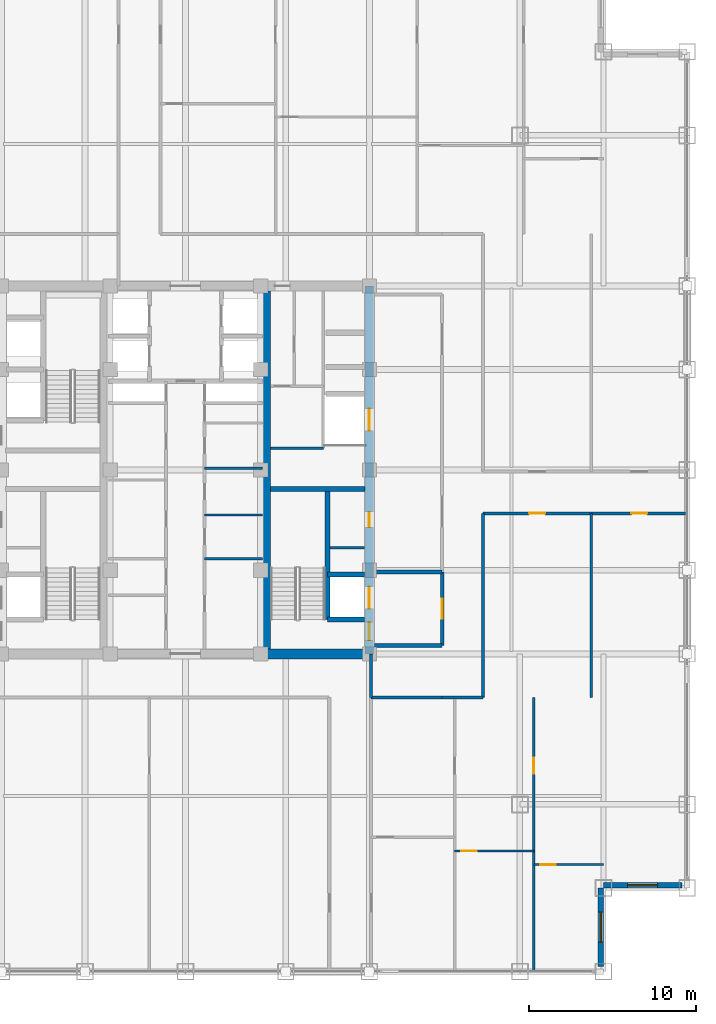
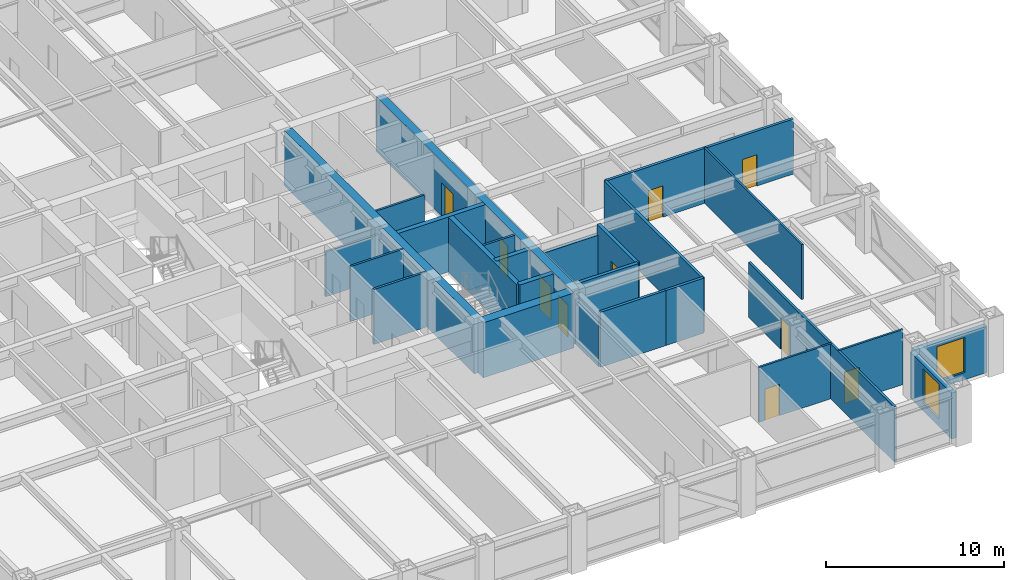
# One storey, part 21 of 25: 26 walls, 10 doors, 2 windows, 12 openings.
"""IFC4 building model written with IfcOpenShell, lengths in metres."""

from ifc_helpers import new_model, si_unit, direction, frame, frame_2d, origin, place, context, subcontext, project, spatial, rectangle, extrude, source, transform, mapped, material, layer, layer_set, type_object, element, fill, save


model = new_model("IFC4")

# Units and contexts
model_context = context("Model", 3, precision=1e-05, world=origin(), true_north=direction((0.0, 1.0)))
body_context = subcontext(model_context, "Body", "Model", "MODEL_VIEW")
ifc_project = project(units=[si_unit("LENGTHUNIT", "METRE"), si_unit("AREAUNIT", "SQUARE_METRE"), si_unit("VOLUMEUNIT", "CUBIC_METRE"), si_unit("PLANEANGLEUNIT", "RADIAN"), si_unit("MASSUNIT", "GRAM", prefix="KILO")], contexts=[model_context])

# Site, building, storey
site_placement = place(None, origin())
site = spatial("IfcSite", under=ifc_project, at=site_placement, CompositionType="ELEMENT")
building_placement = place(site_placement, origin())
building = spatial("IfcBuilding", under=site, at=building_placement, Name="Khorayat Bourse Tower", CompositionType="ELEMENT")
storey_placement = place(building_placement, frame((0.0, 0.0, 251.10009765625)))
storey = spatial("IfcBuildingStorey", under=building, at=storey_placement, Name="L59", CompositionType="ELEMENT", Elevation=251.10009765625)

# Wall
ifc_material_1 = material(Name="Concrete C52/65", Category="concrete")
ifc_layer_1 = layer(ifc_material_1, 0.5)
ifc_layer_set_1 = layer_set([ifc_layer_1], Name="Concrete C52/65")
wall_type_1 = type_object("IfcWallType", Name="WAL-CORE-500", PredefinedType="SHEAR", material=ifc_layer_set_1)
shared_shape_1 = source(origin(), body_context, "Body", "SweptSolid", [
    extrude(rectangle(XDim=21.39990234375, YDim=0.5, at=frame_2d((10.699951171875, 0.0))), origin(), (0.0, 0.0, 1.0), 3.77978515625),
])
wall_1_placement = place(storey_placement, frame((4.85009765625, -10.699951171875, 0.0), z_axis=(0.0, 0.0, 1.0), x_axis=(0.0, 1.0, 0.0)))
element("IfcWall", 1, at=wall_1_placement, inside=storey, type_object=wall_type_1, Name="L59 Core Shear Wall PIER-E", PredefinedType="SHEAR", context=body_context, shape_type="MappedRepresentation", body=[
    mapped(shared_shape_1, transform((0.0, 0.0, 0.0), scale=1.0)),
])

# Wall, openings, doors
shared_shape_2 = source(origin(), body_context, "Body", "SweptSolid", [
    extrude(rectangle(XDim=22.0, YDim=0.5, at=frame_2d((11.0, 0.0))), origin(), (0.0, 0.0, 1.0), 3.77978515625),
])
wall_2_placement = place(storey_placement, frame((11.0, -11.0, 0.0), z_axis=(0.0, 0.0, 1.0), x_axis=(0.0, 1.0, 0.0)))
wall_2 = element("IfcWall", 2, at=wall_2_placement, inside=storey, type_object=wall_type_1, Name="L59 Core Shear Wall CORE-E", PredefinedType="SHEAR", context=body_context, shape_type="MappedRepresentation", body=[
    mapped(shared_shape_2, transform((0.0, 0.0, 0.0), scale=1.0)),
])
shared_shape_3 = source(origin(), body_context, "Body", "SweptSolid", [
    extrude(rectangle(XDim=1.10009765625, YDim=2.199951171875, at=frame_2d((0.550048828125, 1.10009765625))), frame((0.0, 0.260009765625, 0.0), z_axis=(0.0, -1.0, 0.0), x_axis=(1.0, 0.0, 0.0)), (0.0, 0.0, 1.0), 0.52001953125),
])
opening_1_placement = place(wall_2_placement, frame((0.800048828125, 0.0, 0.0)))
opening_1 = element("IfcOpeningElement", 3, at=opening_1_placement, cuts=wall_2, Name="Opening DI-01", PredefinedType="OPENING", context=body_context, shape_type="MappedRepresentation", body=[
    mapped(shared_shape_3, transform((0.0, 0.0, 0.0), scale=1.0)),
])
shared_shape_4 = source(origin(), body_context, "Body", "SweptSolid", [
    extrude(rectangle(XDim=0.89990234375, YDim=2.14990234375, at=frame_2d((0.449951171875, 1.074951171875))), frame((0.0, 0.260009765625, 0.0), z_axis=(0.0, -1.0, 0.0), x_axis=(1.0, 0.0, 0.0)), (0.0, 0.0, 1.0), 0.52001953125),
])
opening_2_placement = place(wall_2_placement, frame((7.574951171875, 0.0, 0.0)))
opening_2 = element("IfcOpeningElement", 4, at=opening_2_placement, cuts=wall_2, Name="Opening DI-06", PredefinedType="OPENING", context=body_context, shape_type="MappedRepresentation", body=[
    mapped(shared_shape_4, transform((0.0, 0.0, 0.0), scale=1.0)),
])
shared_shape_5 = source(origin(), body_context, "Body", "SweptSolid", [
    extrude(rectangle(XDim=1.300048828125, YDim=2.300048828125, at=frame_2d((0.64990234375, 1.14990234375))), frame((0.0, 0.260009765625, 0.0), z_axis=(0.0, -1.0, 0.0), x_axis=(1.0, 0.0, 0.0)), (0.0, 0.0, 1.0), 0.52001953125),
])
opening_3_placement = place(wall_2_placement, frame((2.699951171875, 0.0, 0.0)))
opening_3 = element("IfcOpeningElement", 5, at=opening_3_placement, cuts=wall_2, Name="Opening LD-02", PredefinedType="OPENING", context=body_context, shape_type="MappedRepresentation", body=[
    mapped(shared_shape_5, transform((0.0, 0.0, 0.0), scale=1.0)),
])
opening_4_placement = place(wall_2_placement, frame((13.35009765625, 0.0, 0.0)))
opening_4 = element("IfcOpeningElement", 6, at=opening_4_placement, cuts=wall_2, Name="Opening LD-02", PredefinedType="OPENING", context=body_context, shape_type="MappedRepresentation", body=[
    mapped(shared_shape_5, transform((0.0, 0.0, 0.0), scale=1.0)),
])
ifc_material_2 = material(Name="Fire-rated steel acoustic leaf", Category="steel")
door_type_1 = type_object("IfcDoorType", Name="DR-INT-STAIR-1100", OperationType="NOTDEFINED", PredefinedType="DOOR", material=ifc_material_2)
shared_shape_6 = source(origin(), body_context, "Body", "SweptSolid", [
    extrude(rectangle(XDim=1.10009765625, YDim=2.199951171875, at=frame_2d((0.550048828125, 1.10009765625))), frame((0.0, 0.02490234375, 0.0), z_axis=(0.0, -1.0, 0.0), x_axis=(1.0, 0.0, 0.0)), (0.0, 0.0, 1.0), 0.050048828125),
])
door_1_placement = place(opening_1_placement, origin())
door_1 = element("IfcDoor", 7, at=door_1_placement, inside=storey, type_object=door_type_1, Name="L59 Exit Stair 3 Door", OperationType="SINGLE_SWING_LEFT", OverallHeight=2.199951171875, OverallWidth=1.10009765625, PredefinedType="DOOR", context=body_context, shape_type="MappedRepresentation", body=[
    mapped(shared_shape_6, transform((0.0, 0.0, 0.0), scale=1.0)),
])
fill(opening_1, door_1)
ifc_material_3 = material(Name="Moisture-resistant laminate washroom door")
door_type_2 = type_object("IfcDoorType", Name="DR-INT-WC-900", OperationType="NOTDEFINED", PredefinedType="DOOR", material=ifc_material_3)
shared_shape_7 = source(origin(), body_context, "Body", "SweptSolid", [
    extrude(rectangle(XDim=0.89990234375, YDim=2.14990234375, at=frame_2d((0.449951171875, 1.074951171875))), frame((0.0, 0.02490234375, 0.0), z_axis=(0.0, -1.0, 0.0), x_axis=(1.0, 0.0, 0.0)), (0.0, 0.0, 1.0), 0.050048828125),
])
door_2_placement = place(opening_2_placement, origin())
door_2 = element("IfcDoor", 8, at=door_2_placement, inside=storey, type_object=door_type_2, Name="L59 Fiber Server Plant Room Door", OperationType="SINGLE_SWING_LEFT", OverallHeight=2.14990234375, OverallWidth=0.89990234375, PredefinedType="DOOR", context=body_context, shape_type="MappedRepresentation", body=[
    mapped(shared_shape_7, transform((0.0, 0.0, 0.0), scale=1.0)),
])
fill(opening_2, door_2)
ifc_material_4 = material(Name="Fire-rated stainless-steel sliding landing door", Category="steel")
door_type_3 = type_object("IfcDoorType", Name="DR-LIFT-FF-1300", OperationType="NOTDEFINED", PredefinedType="DOOR", material=ifc_material_4)
shared_shape_8 = source(origin(), body_context, "Body", "SweptSolid", [
    extrude(rectangle(XDim=1.300048828125, YDim=2.300048828125, at=frame_2d((0.64990234375, 1.14990234375))), frame((0.0, 0.02490234375, 0.0), z_axis=(0.0, -1.0, 0.0), x_axis=(1.0, 0.0, 0.0)), (0.0, 0.0, 1.0), 0.050048828125),
])
door_3_placement = place(opening_3_placement, origin())
door_3 = element("IfcDoor", 9, at=door_3_placement, inside=storey, type_object=door_type_3, Name="L59 Lift FFL-02 Sliding Landing Door", OperationType="SLIDING_TO_LEFT", OverallHeight=2.300048828125, OverallWidth=1.300048828125, PredefinedType="DOOR", context=body_context, shape_type="MappedRepresentation", body=[
    mapped(shared_shape_8, transform((0.0, 0.0, 0.0), scale=1.0)),
])
fill(opening_3, door_3)
door_4_placement = place(opening_4_placement, origin())
door_4 = element("IfcDoor", 10, at=door_4_placement, inside=storey, type_object=door_type_3, Name="L59 Lift SVL-01 Sliding Landing Door", OperationType="SLIDING_TO_LEFT", OverallHeight=2.300048828125, OverallWidth=1.300048828125, PredefinedType="DOOR", context=body_context, shape_type="MappedRepresentation", body=[
    mapped(shared_shape_8, transform((0.0, 0.0, 0.0), scale=1.0)),
])
fill(opening_4, door_4)

# Walls
ifc_material_5 = material(Name="Concrete C60/75", Category="concrete")
ifc_layer_2 = layer(ifc_material_5, 0.60009765625)
ifc_layer_set_2 = layer_set([ifc_layer_2], Name="Concrete C60/75")
wall_type_2 = type_object("IfcWallType", Name="WAL-CORE-600", PredefinedType="SHEAR", material=ifc_layer_set_2)
shared_shape_9 = source(origin(), body_context, "Body", "SweptSolid", [
    extrude(rectangle(XDim=5.89990234375, YDim=0.60009765625, at=frame_2d((2.949951171875, 0.0))), origin(), (0.0, 0.0, 1.0), 3.77978515625),
])
wall_3_placement = place(storey_placement, frame((4.85009765625, -11.0, 0.0), z_axis=(0.0, 0.0, 1.0), x_axis=(1.0, 0.0, 0.0)))
element("IfcWall", 11, at=wall_3_placement, inside=storey, type_object=wall_type_2, Name="L59 Core Shear Wall PIER-ES", PredefinedType="SHEAR", context=body_context, shape_type="MappedRepresentation", body=[
    mapped(shared_shape_9, transform((0.0, 0.0, 0.0), scale=1.0)),
])
ifc_material_6 = material(Name="Concrete C50/60", Category="concrete")
ifc_layer_3 = layer(ifc_material_6, 0.300048828125)
ifc_layer_set_3 = layer_set([ifc_layer_3], Name="Concrete C50/60")
wall_type_3 = type_object("IfcWallType", Name="WAL-SHAFT-300", PredefinedType="SHEAR", material=ifc_layer_set_3)
shared_shape_10 = source(origin(), body_context, "Body", "SweptSolid", [
    extrude(rectangle(XDim=5.64990234375, YDim=0.300048828125, at=frame_2d((2.824951171875, 0.0))), origin(), (0.0, 0.0, 1.0), 3.77978515625),
])
wall_4_placement = place(storey_placement, frame((5.10009765625, -1.14990234375, 0.0), z_axis=(0.0, 0.0, 1.0), x_axis=(1.0, 0.0, 0.0)))
element("IfcWall", 12, at=wall_4_placement, inside=storey, type_object=wall_type_3, Name="L59 Core Shear Wall ST3-DIV", PredefinedType="SHEAR", context=body_context, shape_type="MappedRepresentation", body=[
    mapped(shared_shape_10, transform((0.0, 0.0, 0.0), scale=1.0)),
])

# Wall, opening, window
ifc_material_7 = material(Name="Precast concrete C45/55", Category="concrete")
ifc_layer_4 = layer(ifc_material_7, 0.320068359375)
ifc_layer_set_4 = layer_set([ifc_layer_4], Name="Precast concrete C45/55")
wall_type_4 = type_object("IfcWallType", Name="WAL-EXT-STONE-320", PredefinedType="STANDARD", material=ifc_layer_set_4)
shared_shape_11 = source(origin(), body_context, "Body", "SweptSolid", [
    extrude(rectangle(XDim=4.679931640625, YDim=0.320068359375, at=frame_2d((2.33984375, 0.0))), origin(), (0.0, 0.0, 1.0), 3.163818359375),
])
wall_5_placement = place(storey_placement, frame((24.840087890625, -29.679931640625, 0.0), z_axis=(0.0, 0.0, 1.0), x_axis=(0.0, 1.0, 0.0)))
wall_5 = element("IfcWall", 13, at=wall_5_placement, inside=storey, type_object=wall_type_4, Name="L59 Re-Entrant Notch Limestone Wall SE-V", PredefinedType="STANDARD", context=body_context, shape_type="MappedRepresentation", body=[
    mapped(shared_shape_11, transform((0.0, 0.0, 0.0), scale=1.0)),
])
shared_shape_12 = source(origin(), body_context, "Body", "SweptSolid", [
    extrude(rectangle(XDim=1.800048828125, YDim=2.39990234375, at=frame_2d((0.89990234375, 1.199951171875))), frame((0.0, 0.169921875, 0.0), z_axis=(0.0, -1.0, 0.0), x_axis=(1.0, 0.0, 0.0)), (0.0, 0.0, 1.0), 0.340087890625),
])
opening_5_placement = place(wall_5_placement, frame((1.43994140625, 0.0, 0.5)))
opening_5 = element("IfcOpeningElement", 14, at=opening_5_placement, cuts=wall_5, Name="Opening WN-04", PredefinedType="OPENING", context=body_context, shape_type="MappedRepresentation", body=[
    mapped(shared_shape_12, transform((0.0, 0.0, 0.0), scale=1.0)),
])
ifc_material_8 = material(Name="Low-E acoustic laminated double glazing", Category="glass")
window_type = type_object("IfcWindowType", Name="WIN-NOTCH-1800x2400", PartitioningType="SINGLE_PANEL", PredefinedType="WINDOW", material=ifc_material_8)
shared_shape_13 = source(origin(), body_context, "Body", "SweptSolid", [
    extrude(rectangle(XDim=1.800048828125, YDim=2.39990234375, at=frame_2d((0.89990234375, 1.199951171875))), frame((0.0, 0.030029296875, 0.0), z_axis=(0.0, -1.0, 0.0), x_axis=(1.0, 0.0, 0.0)), (0.0, 0.0, 1.0), 0.06005859375),
])
window_1_placement = place(opening_5_placement, origin())
window_1 = element("IfcWindow", 15, at=window_1_placement, inside=storey, type_object=window_type, Name="L59 Facade Window 1", OverallHeight=2.39990234375, OverallWidth=1.800048828125, PartitioningType="SINGLE_PANEL", PredefinedType="WINDOW", context=body_context, shape_type="MappedRepresentation", body=[
    mapped(shared_shape_13, transform((0.0, 0.0, 0.0), scale=1.0)),
])
fill(opening_5, window_1)

wall_6_placement = place(storey_placement, frame((25.0, -24.840087890625, 0.0), z_axis=(0.0, 0.0, 1.0), x_axis=(1.0, 0.0, 0.0)))
wall_6 = element("IfcWall", 16, at=wall_6_placement, inside=storey, type_object=wall_type_4, Name="L59 Re-Entrant Notch Limestone Wall SE-H", PredefinedType="STANDARD", context=body_context, shape_type="MappedRepresentation", body=[
    mapped(shared_shape_11, transform((0.0, 0.0, 0.0), scale=1.0)),
])
opening_6_placement = place(wall_6_placement, frame((1.43994140625, 0.0, 0.5)))
opening_6 = element("IfcOpeningElement", 17, at=opening_6_placement, cuts=wall_6, Name="Opening WN-04", PredefinedType="OPENING", context=body_context, shape_type="MappedRepresentation", body=[
    mapped(shared_shape_12, transform((0.0, 0.0, 0.0), scale=1.0)),
])
window_2_placement = place(opening_6_placement, origin())
window_2 = element("IfcWindow", 18, at=window_2_placement, inside=storey, type_object=window_type, Name="L59 Facade Window 1", OverallHeight=2.39990234375, OverallWidth=1.800048828125, PartitioningType="SINGLE_PANEL", PredefinedType="WINDOW", context=body_context, shape_type="MappedRepresentation", body=[
    mapped(shared_shape_13, transform((0.0, 0.0, 0.0), scale=1.0)),
])
fill(opening_6, window_2)

# Walls
ifc_material_9 = material(Name="Aerated concrete blockwork", Category="masonry")
ifc_layer_5 = layer(ifc_material_9, 0.219970703125)
ifc_layer_set_5 = layer_set([ifc_layer_5], Name="Aerated concrete blockwork")
wall_type_5 = type_object("IfcWallType", Name="WAL-PART-FF-220", PredefinedType="PARTITIONING", material=ifc_layer_set_5)
shared_shape_14 = source(origin(), body_context, "Body", "SweptSolid", [
    extrude(rectangle(XDim=4.050048828125, YDim=0.219970703125, at=frame_2d((2.02490234375, 0.0))), origin(), (0.0, 0.0, 1.0), 3.0849609375),
])
wall_7_placement = place(storey_placement, frame((11.300048828125, -6.10009765625, 0.0), z_axis=(0.0, 0.0, 1.0), x_axis=(1.0, 0.0, 0.0)))
element("IfcWall", 19, at=wall_7_placement, inside=storey, type_object=wall_type_5, Name="L59 Partition WAL-L59-FFLE-N", PredefinedType="PARTITIONING", context=body_context, shape_type="MappedRepresentation", body=[
    mapped(shared_shape_14, transform((0.0, 0.0, 0.0), scale=1.0)),
])
shared_shape_15 = source(origin(), body_context, "Body", "SweptSolid", [
    extrude(rectangle(XDim=7.800048828125, YDim=0.300048828125, at=frame_2d((3.89990234375, 0.0))), origin(), (0.0, 0.0, 1.0), 3.77978515625),
])
wall_8_placement = place(storey_placement, frame((8.5, -8.949951171875, 0.0), z_axis=(0.0, 0.0, 1.0), x_axis=(0.0, 1.0, 0.0)))
element("IfcWall", 20, at=wall_8_placement, inside=storey, type_object=wall_type_3, Name="L59 Partition WAL-L59-EPIER-SP", PredefinedType="SHEAR", context=body_context, shape_type="MappedRepresentation", body=[
    mapped(shared_shape_15, transform((0.0, 0.0, 0.0), scale=1.0)),
])
shared_shape_16 = source(origin(), body_context, "Body", "SweptSolid", [
    extrude(rectangle(XDim=2.199951171875, YDim=0.300048828125, at=frame_2d((1.10009765625, 0.0))), origin(), (0.0, 0.0, 1.0), 3.77978515625),
])
for number, where, z_axis, x_axis, name in (
    (21, (8.5, -8.949951171875, 0.0), (0.0, 0.0, 1.0), (1.0, 0.0, 0.0), "L59 Partition WAL-L59-EPIER-FF2S"),
    (22, (8.5, -6.25, 0.0), (0.0, 0.0, 1.0), (1.0, 0.0, 0.0), "L59 Partition WAL-L59-EPIER-FF2N"),
):
    element("IfcWall", number, at=place(storey_placement, frame(where, z_axis=z_axis, x_axis=x_axis)), inside=storey, type_object=wall_type_3, Name=name, PredefinedType="SHEAR", context=body_context, shape_type="MappedRepresentation", body=[
        mapped(shared_shape_16, transform((0.0, 0.0, 0.0), scale=1.0)),
    ])
ifc_material_10 = material(Name="Gypsum plasterboard twin-frame partition")
ifc_layer_6 = layer(ifc_material_10, 0.14990234375)
ifc_layer_set_6 = layer_set([ifc_layer_6], Name="Gypsum plasterboard twin-frame partition")
wall_type_6 = type_object("IfcWallType", Name="WAL-PART-SUITE-150", PredefinedType="PARTITIONING", material=ifc_layer_set_6)
shared_shape_17 = source(origin(), body_context, "Body", "SweptSolid", [
    extrude(rectangle(XDim=2.050048828125, YDim=0.14990234375, at=frame_2d((1.02490234375, 0.0))), origin(), (0.0, 0.0, 1.0), 3.77978515625),
])
wall_9_placement = place(storey_placement, frame((8.64990234375, -4.64990234375, 0.0), z_axis=(0.0, 0.0, 1.0), x_axis=(1.0, 0.0, 0.0)))
element("IfcWall", 23, at=wall_9_placement, inside=storey, type_object=wall_type_6, Name="L59 Partition WAL-L59-ESRV-S0", PredefinedType="PARTITIONING", context=body_context, shape_type="MappedRepresentation", body=[
    mapped(shared_shape_17, transform((0.0, 0.0, 0.0), scale=1.0)),
])
ifc_material_11 = material(Name="Moisture-resistant masonry partition", Category="masonry")
ifc_layer_7 = layer(ifc_material_11, 0.139892578125)
ifc_layer_set_7 = layer_set([ifc_layer_7], Name="Moisture-resistant masonry partition")
wall_type_7 = type_object("IfcWallType", Name="WAL-PART-WET-140", PredefinedType="PARTITIONING", material=ifc_layer_set_7)
shared_shape_18 = source(origin(), body_context, "Body", "SweptSolid", [
    extrude(rectangle(XDim=3.14990234375, YDim=0.139892578125, at=frame_2d((1.574951171875, 0.0))), origin(), (0.0, 0.0, 1.0), 3.77978515625),
])
wall_10_placement = place(storey_placement, frame((5.10009765625, 1.300048828125, 0.0), z_axis=(0.0, 0.0, 1.0), x_axis=(1.0, 0.0, 0.0)))
element("IfcWall", 24, at=wall_10_placement, inside=storey, type_object=wall_type_7, Name="L59 Partition WAL-L59-ECORE-S", PredefinedType="PARTITIONING", context=body_context, shape_type="MappedRepresentation", body=[
    mapped(shared_shape_18, transform((0.0, 0.0, 0.0), scale=1.0)),
])
shared_shape_19 = source(origin(), body_context, "Body", "SweptSolid", [
    extrude(rectangle(XDim=4.050048828125, YDim=0.219970703125, at=frame_2d((2.02490234375, 0.0))), origin(), (0.0, 0.0, 1.0), 3.77978515625),
])
wall_11_placement = place(storey_placement, frame((11.300048828125, -10.5, 0.0), z_axis=(0.0, 0.0, 1.0), x_axis=(1.0, 0.0, 0.0)))
element("IfcWall", 25, at=wall_11_placement, inside=storey, type_object=wall_type_5, Name="L59 Partition WAL-L59-FFLE-S", PredefinedType="PARTITIONING", context=body_context, shape_type="MappedRepresentation", body=[
    mapped(shared_shape_19, transform((0.0, 0.0, 0.0), scale=1.0)),
])

# Wall, opening, door
shared_shape_20 = source(origin(), body_context, "Body", "SweptSolid", [
    extrude(rectangle(XDim=4.39990234375, YDim=0.219970703125, at=frame_2d((2.199951171875, 0.0))), origin(), (0.0, 0.0, 1.0), 3.77978515625),
])
wall_12_placement = place(storey_placement, frame((15.35009765625, -10.5, 0.0), z_axis=(0.0, 0.0, 1.0), x_axis=(0.0, 1.0, 0.0)))
wall_12 = element("IfcWall", 26, at=wall_12_placement, inside=storey, type_object=wall_type_5, Name="L59 Partition WAL-L59-FFLE-E", PredefinedType="PARTITIONING", context=body_context, shape_type="MappedRepresentation", body=[
    mapped(shared_shape_20, transform((0.0, 0.0, 0.0), scale=1.0)),
])
shared_shape_21 = source(origin(), body_context, "Body", "SweptSolid", [
    extrude(rectangle(XDim=1.199951171875, YDim=2.199951171875, at=frame_2d((0.60009765625, 1.10009765625))), frame((0.0, 0.119873046875, 0.0), z_axis=(0.0, -1.0, 0.0), x_axis=(1.0, 0.0, 0.0)), (0.0, 0.0, 1.0), 0.239990234375),
])
opening_7_placement = place(wall_12_placement, frame((1.60009765625, 0.0, 0.0)))
opening_7 = element("IfcOpeningElement", 27, at=opening_7_placement, cuts=wall_12, Name="Opening DI-02", PredefinedType="OPENING", context=body_context, shape_type="MappedRepresentation", body=[
    mapped(shared_shape_21, transform((0.0, 0.0, 0.0), scale=1.0)),
])
ifc_material_12 = material(Name="Fire-rated steel double-seal leaf", Category="steel")
door_type_4 = type_object("IfcDoorType", Name="DR-INT-FFLOBBY-1200", OperationType="NOTDEFINED", PredefinedType="DOOR", material=ifc_material_12)
shared_shape_22 = source(origin(), body_context, "Body", "SweptSolid", [
    extrude(rectangle(XDim=1.199951171875, YDim=2.199951171875, at=frame_2d((0.60009765625, 1.10009765625))), frame((0.0, 0.02490234375, 0.0), z_axis=(0.0, -1.0, 0.0), x_axis=(1.0, 0.0, 0.0)), (0.0, 0.0, 1.0), 0.050048828125),
])
door_5_placement = place(opening_7_placement, origin())
door_5 = element("IfcDoor", 28, at=door_5_placement, inside=storey, type_object=door_type_4, Name="L59 East Firefighting Lobby Door", OperationType="SINGLE_SWING_RIGHT", OverallHeight=2.199951171875, OverallWidth=1.199951171875, PredefinedType="DOOR", context=body_context, shape_type="MappedRepresentation", body=[
    mapped(shared_shape_22, transform((0.0, 0.0, 0.0), scale=1.0)),
])
fill(opening_7, door_5)

# Walls
shared_shape_23 = source(origin(), body_context, "Body", "SweptSolid", [
    extrude(rectangle(XDim=3.4501953125, YDim=0.14990234375, at=frame_2d((1.72509765625, 0.0))), origin(), (0.0, 0.0, 1.0), 3.77978515625),
])
wall_13_placement = place(storey_placement, frame((1.14990234375, -5.300048828125, 0.0), z_axis=(0.0, 0.0, 1.0), x_axis=(1.0, 0.0, 0.0)))
element("IfcWall", 29, at=wall_13_placement, inside=storey, type_object=wall_type_6, Name="L59 Partition WAL-L59-FB1-NE", PredefinedType="PARTITIONING", context=body_context, shape_type="MappedRepresentation", body=[
    mapped(shared_shape_23, transform((0.0, 0.0, 0.0), scale=1.0)),
])
shared_shape_24 = source(origin(), body_context, "Body", "SweptSolid", [
    extrude(rectangle(XDim=3.4501953125, YDim=0.139892578125, at=frame_2d((1.72509765625, 0.0))), origin(), (0.0, 0.0, 1.0), 3.77978515625),
])
wall_14_placement = place(storey_placement, frame((1.14990234375, -2.699951171875, 0.0), z_axis=(0.0, 0.0, 1.0), x_axis=(1.0, 0.0, 0.0)))
element("IfcWall", 30, at=wall_14_placement, inside=storey, type_object=wall_type_7, Name="L59 Partition WAL-L59-CME-D1", PredefinedType="PARTITIONING", context=body_context, shape_type="MappedRepresentation", body=[
    mapped(shared_shape_24, transform((0.0, 0.0, 0.0), scale=1.0)),
])
shared_shape_25 = source(origin(), body_context, "Body", "SweptSolid", [
    extrude(rectangle(XDim=3.4501953125, YDim=0.139892578125, at=frame_2d((1.72509765625, 0.0))), origin(), (0.0, 0.0, 1.0), 3.0849609375),
])
wall_15_placement = place(storey_placement, frame((1.14990234375, 0.10009765625, 0.0), z_axis=(0.0, 0.0, 1.0), x_axis=(1.0, 0.0, 0.0)))
element("IfcWall", 31, at=wall_15_placement, inside=storey, type_object=wall_type_7, Name="L59 Partition WAL-L59-CME-D2", PredefinedType="PARTITIONING", context=body_context, shape_type="MappedRepresentation", body=[
    mapped(shared_shape_25, transform((0.0, 0.0, 0.0), scale=1.0)),
])
ifc_material_13 = material(Name="Gypsum plasterboard acoustic stud wall")
ifc_layer_8 = layer(ifc_material_13, 0.179931640625)
ifc_layer_set_8 = layer_set([ifc_layer_8], Name="Gypsum plasterboard acoustic stud wall")
wall_type_8 = type_object("IfcWallType", Name="WAL-PART-CORR-180", PredefinedType="PARTITIONING", material=ifc_layer_set_8)
shared_shape_26 = source(origin(), body_context, "Body", "SweptSolid", [
    extrude(rectangle(XDim=2.449951171875, YDim=0.179931640625, at=frame_2d((1.22509765625, 0.0))), origin(), (0.0, 0.0, 1.0), 3.77978515625),
])
wall_16_placement = place(storey_placement, frame((15.35009765625, -13.60009765625, 0.0), z_axis=(0.0, 0.0, 1.0), x_axis=(1.0, 0.0, 0.0)))
element("IfcWall", 32, at=wall_16_placement, inside=storey, type_object=wall_type_8, Name="L59 Partition WAL-L59-C2-ES", PredefinedType="PARTITIONING", context=body_context, shape_type="MappedRepresentation", body=[
    mapped(shared_shape_26, transform((0.0, 0.0, 0.0), scale=1.0)),
])
ifc_material_14 = material(Name="Gypsum plasterboard partition")
ifc_layer_9 = layer(ifc_material_14, 0.125)
ifc_layer_set_9 = layer_set([ifc_layer_9], Name="Gypsum plasterboard partition")
wall_type_9 = type_object("IfcWallType", Name="WAL-PART-ROOM-125", PredefinedType="PARTITIONING", material=ifc_layer_set_9)
shared_shape_27 = source(origin(), body_context, "Body", "SweptSolid", [
    extrude(rectangle(XDim=11.0, YDim=0.125, at=frame_2d((5.5, 0.0))), origin(), (0.0, 0.0, 1.0), 3.77978515625),
])
wall_17_placement = place(storey_placement, frame((24.26611328125, -13.60009765625, 0.0), z_axis=(0.0, 0.0, 1.0), x_axis=(0.0, 1.0, 0.0)))
element("IfcWall", 33, at=wall_17_placement, inside=storey, type_object=wall_type_9, Name="L59 Partition WAL-L59-ES-DV", PredefinedType="PARTITIONING", context=body_context, shape_type="MappedRepresentation", body=[
    mapped(shared_shape_27, transform((0.0, 0.0, 0.0), scale=1.0)),
])

# Wall, openings, doors
shared_shape_28 = source(origin(), body_context, "Body", "SweptSolid", [
    extrude(rectangle(XDim=12.199951171875, YDim=0.179931640625, at=frame_2d((6.10009765625, 0.0))), origin(), (0.0, 0.0, 1.0), 3.77978515625),
])
wall_18_placement = place(storey_placement, frame((17.800048828125, -2.60009765625, 0.0), z_axis=(0.0, 0.0, 1.0), x_axis=(1.0, 0.0, 0.0)))
wall_18 = element("IfcWall", 34, at=wall_18_placement, inside=storey, type_object=wall_type_8, Name="L59 Partition WAL-L59-ES-SPK", PredefinedType="PARTITIONING", context=body_context, shape_type="MappedRepresentation", body=[
    mapped(shared_shape_28, transform((0.0, 0.0, 0.0), scale=1.0)),
])
shared_shape_29 = source(origin(), body_context, "Body", "SweptSolid", [
    extrude(rectangle(XDim=0.949951171875, YDim=2.14990234375, at=frame_2d((0.47509765625, 1.074951171875))), frame((0.0, 0.099853515625, 0.0), z_axis=(0.0, -1.0, 0.0), x_axis=(1.0, 0.0, 0.0)), (0.0, 0.0, 1.0), 0.199951171875),
])
opening_8_placement = place(wall_18_placement, frame((2.758056640625, 0.0, 0.0)))
opening_8 = element("IfcOpeningElement", 35, at=opening_8_placement, cuts=wall_18, Name="Opening DI-05", PredefinedType="OPENING", context=body_context, shape_type="MappedRepresentation", body=[
    mapped(shared_shape_29, transform((0.0, 0.0, 0.0), scale=1.0)),
])
opening_9_placement = place(wall_18_placement, frame((8.85791015625, 0.0, 0.0)))
opening_9 = element("IfcOpeningElement", 36, at=opening_9_placement, cuts=wall_18, Name="Opening DI-05", PredefinedType="OPENING", context=body_context, shape_type="MappedRepresentation", body=[
    mapped(shared_shape_29, transform((0.0, 0.0, 0.0), scale=1.0)),
])
ifc_material_15 = material(Name="Acoustic oak veneer office door")
door_type_5 = type_object("IfcDoorType", Name="DR-INT-OFFICE-950", OperationType="NOTDEFINED", PredefinedType="DOOR", material=ifc_material_15)
shared_shape_30 = source(origin(), body_context, "Body", "SweptSolid", [
    extrude(rectangle(XDim=0.949951171875, YDim=2.14990234375, at=frame_2d((0.47509765625, 1.074951171875))), frame((0.0, 0.02490234375, 0.0), z_axis=(0.0, -1.0, 0.0), x_axis=(1.0, 0.0, 0.0)), (0.0, 0.0, 1.0), 0.050048828125),
])
door_6_placement = place(opening_8_placement, origin())
door_6 = element("IfcDoor", 37, at=door_6_placement, inside=storey, type_object=door_type_5, Name="L59 Occupational First Aid Clinic ESA Door", OperationType="SINGLE_SWING_LEFT", OverallHeight=2.14990234375, OverallWidth=0.949951171875, PredefinedType="DOOR", context=body_context, shape_type="MappedRepresentation", body=[
    mapped(shared_shape_30, transform((0.0, 0.0, 0.0), scale=1.0)),
])
fill(opening_8, door_6)
door_7_placement = place(opening_9_placement, origin())
door_7 = element("IfcDoor", 38, at=door_7_placement, inside=storey, type_object=door_type_5, Name="L59 Clearing Records Archive Store ESB Door", OperationType="SINGLE_SWING_RIGHT", OverallHeight=2.14990234375, OverallWidth=0.949951171875, PredefinedType="DOOR", context=body_context, shape_type="MappedRepresentation", body=[
    mapped(shared_shape_30, transform((0.0, 0.0, 0.0), scale=1.0)),
])
fill(opening_9, door_7)

# Wall, opening, door
shared_shape_31 = source(origin(), body_context, "Body", "SweptSolid", [
    extrude(rectangle(XDim=16.39990234375, YDim=0.14990234375, at=frame_2d((8.199951171875, 0.0))), origin(), (0.0, 0.0, 1.0), 3.77978515625),
])
wall_19_placement = place(storey_placement, frame((20.830078125, -30.0, 0.0), z_axis=(0.0, 0.0, 1.0), x_axis=(0.0, 1.0, 0.0)))
wall_19 = element("IfcWall", 39, at=wall_19_placement, inside=storey, type_object=wall_type_6, Name="L59 Partition WAL-L59-QSEDV-2", PredefinedType="PARTITIONING", context=body_context, shape_type="MappedRepresentation", body=[
    mapped(shared_shape_31, transform((0.0, 0.0, 0.0), scale=1.0)),
])
shared_shape_32 = source(origin(), body_context, "Body", "SweptSolid", [
    extrude(rectangle(XDim=0.949951171875, YDim=2.14990234375, at=frame_2d((0.47509765625, 1.074951171875))), frame((0.0, 0.0849609375, 0.0), z_axis=(0.0, -1.0, 0.0), x_axis=(1.0, 0.0, 0.0)), (0.0, 0.0, 1.0), 0.169921875),
])
opening_10_placement = place(wall_19_placement, frame((11.824951171875, 0.0, 0.0)))
opening_10 = element("IfcOpeningElement", 40, at=opening_10_placement, cuts=wall_19, Name="Opening DI-05", PredefinedType="OPENING", context=body_context, shape_type="MappedRepresentation", body=[
    mapped(shared_shape_32, transform((0.0, 0.0, 0.0), scale=1.0)),
])
door_8_placement = place(opening_10_placement, origin())
door_8 = element("IfcDoor", 41, at=door_8_placement, inside=storey, type_object=door_type_5, Name="L59 South-East Suite Link 2", OperationType="SINGLE_SWING_LEFT", OverallHeight=2.14990234375, OverallWidth=0.949951171875, PredefinedType="DOOR", context=body_context, shape_type="MappedRepresentation", body=[
    mapped(shared_shape_30, transform((0.0, 0.0, 0.0), scale=1.0)),
])
fill(opening_10, door_8)

# Walls
shared_shape_33 = source(origin(), body_context, "Body", "SweptSolid", [
    extrude(rectangle(XDim=4.25, YDim=0.179931640625, at=frame_2d((2.125, 0.0))), origin(), (0.0, 0.0, 1.0), 3.77978515625),
])
wall_20_placement = place(storey_placement, frame((11.10009765625, -13.60009765625, 0.0), z_axis=(0.0, 0.0, 1.0), x_axis=(1.0, 0.0, 0.0)))
element("IfcWall", 42, at=wall_20_placement, inside=storey, type_object=wall_type_8, Name="L59 Partition WAL-L59-QSE-HC", PredefinedType="PARTITIONING", context=body_context, shape_type="MappedRepresentation", body=[
    mapped(shared_shape_33, transform((0.0, 0.0, 0.0), scale=1.0)),
])
shared_shape_34 = source(origin(), body_context, "Body", "SweptSolid", [
    extrude(rectangle(XDim=2.60009765625, YDim=0.179931640625, at=frame_2d((1.300048828125, 0.0))), origin(), (0.0, 0.0, 1.0), 3.0849609375),
])
wall_21_placement = place(storey_placement, frame((11.10009765625, -13.60009765625, 0.0), z_axis=(0.0, 0.0, 1.0), x_axis=(0.0, 1.0, 0.0)))
element("IfcWall", 43, at=wall_21_placement, inside=storey, type_object=wall_type_8, Name="L59 Partition WAL-L59-C2-SCE", PredefinedType="PARTITIONING", context=body_context, shape_type="MappedRepresentation", body=[
    mapped(shared_shape_34, transform((0.0, 0.0, 0.0), scale=1.0)),
])

# Wall, opening, door
shared_shape_35 = source(origin(), body_context, "Body", "SweptSolid", [
    extrude(rectangle(XDim=4.72607421875, YDim=0.125, at=frame_2d((2.363037109375, 0.0))), origin(), (0.0, 0.0, 1.0), 3.77978515625),
])
wall_22_placement = place(storey_placement, frame((16.10400390625, -22.783935546875, 0.0), z_axis=(0.0, 0.0, 1.0), x_axis=(1.0, 0.0, 0.0)))
wall_22 = element("IfcWall", 44, at=wall_22_placement, inside=storey, type_object=wall_type_9, Name="L59 Partition WAL-L59-QSEDP-2", PredefinedType="PARTITIONING", context=body_context, shape_type="MappedRepresentation", body=[
    mapped(shared_shape_35, transform((0.0, 0.0, 0.0), scale=1.0)),
])
shared_shape_36 = source(origin(), body_context, "Body", "SweptSolid", [
    extrude(rectangle(XDim=0.949951171875, YDim=2.14990234375, at=frame_2d((0.47509765625, 1.074951171875))), frame((0.0, 0.072509765625, 0.0), z_axis=(0.0, -1.0, 0.0), x_axis=(1.0, 0.0, 0.0)), (0.0, 0.0, 1.0), 0.14501953125),
])
opening_11_placement = place(wall_22_placement, frame((0.375, 0.0, 0.0)))
opening_11 = element("IfcOpeningElement", 45, at=opening_11_placement, cuts=wall_22, Name="Opening DI-05", PredefinedType="OPENING", context=body_context, shape_type="MappedRepresentation", body=[
    mapped(shared_shape_36, transform((0.0, 0.0, 0.0), scale=1.0)),
])
door_9_placement = place(opening_11_placement, origin())
door_9 = element("IfcDoor", 46, at=door_9_placement, inside=storey, type_object=door_type_5, Name="L59 South-East Members Club Room 2B Door", OperationType="SINGLE_SWING_LEFT", OverallHeight=2.14990234375, OverallWidth=0.949951171875, PredefinedType="DOOR", context=body_context, shape_type="MappedRepresentation", body=[
    mapped(shared_shape_30, transform((0.0, 0.0, 0.0), scale=1.0)),
])
fill(opening_11, door_9)

shared_shape_37 = source(origin(), body_context, "Body", "SweptSolid", [
    extrude(rectangle(XDim=4.169921875, YDim=0.125, at=frame_2d((2.0849609375, 0.0))), origin(), (0.0, 0.0, 1.0), 3.77978515625),
])
wall_23_placement = place(storey_placement, frame((20.830078125, -23.60400390625, 0.0), z_axis=(0.0, 0.0, 1.0), x_axis=(1.0, 0.0, 0.0)))
wall_23 = element("IfcWall", 47, at=wall_23_placement, inside=storey, type_object=wall_type_9, Name="L59 Partition WAL-L59-QSEDP-3", PredefinedType="PARTITIONING", context=body_context, shape_type="MappedRepresentation", body=[
    mapped(shared_shape_37, transform((0.0, 0.0, 0.0), scale=1.0)),
])
opening_12_placement = place(wall_23_placement, frame((0.375, 0.0, 0.0)))
opening_12 = element("IfcOpeningElement", 48, at=opening_12_placement, cuts=wall_23, Name="Opening DI-05", PredefinedType="OPENING", context=body_context, shape_type="MappedRepresentation", body=[
    mapped(shared_shape_36, transform((0.0, 0.0, 0.0), scale=1.0)),
])
door_10_placement = place(opening_12_placement, origin())
door_10 = element("IfcDoor", 49, at=door_10_placement, inside=storey, type_object=door_type_5, Name="L59 South-East Clearing Records Archive Store 3B Door", OperationType="SINGLE_SWING_RIGHT", OverallHeight=2.14990234375, OverallWidth=0.949951171875, PredefinedType="DOOR", context=body_context, shape_type="MappedRepresentation", body=[
    mapped(shared_shape_30, transform((0.0, 0.0, 0.0), scale=1.0)),
])
fill(opening_12, door_10)

# Wall
shared_shape_38 = source(origin(), body_context, "Body", "SweptSolid", [
    extrude(rectangle(XDim=11.0, YDim=0.179931640625, at=frame_2d((5.5, 0.0))), origin(), (0.0, 0.0, 1.0), 3.77978515625),
])
wall_24_placement = place(storey_placement, frame((17.800048828125, -13.60009765625, 0.0), z_axis=(0.0, 0.0, 1.0), x_axis=(0.0, 1.0, 0.0)))
element("IfcWall", 50, at=wall_24_placement, inside=storey, type_object=wall_type_8, Name="L59 Partition WAL-L59-ES-IN", PredefinedType="PARTITIONING", context=body_context, shape_type="MappedRepresentation", body=[
    mapped(shared_shape_38, transform((0.0, 0.0, 0.0), scale=1.0)),
])

save(model, "model.ifc")
